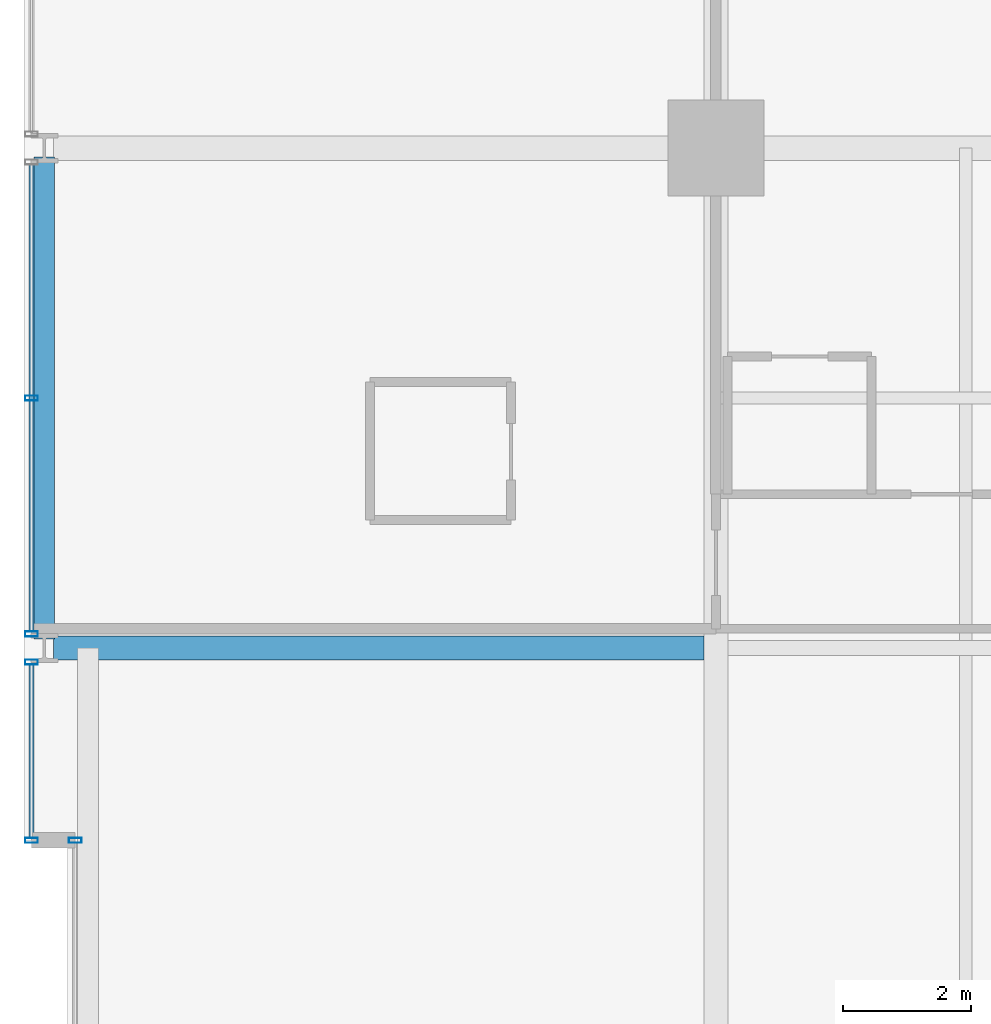
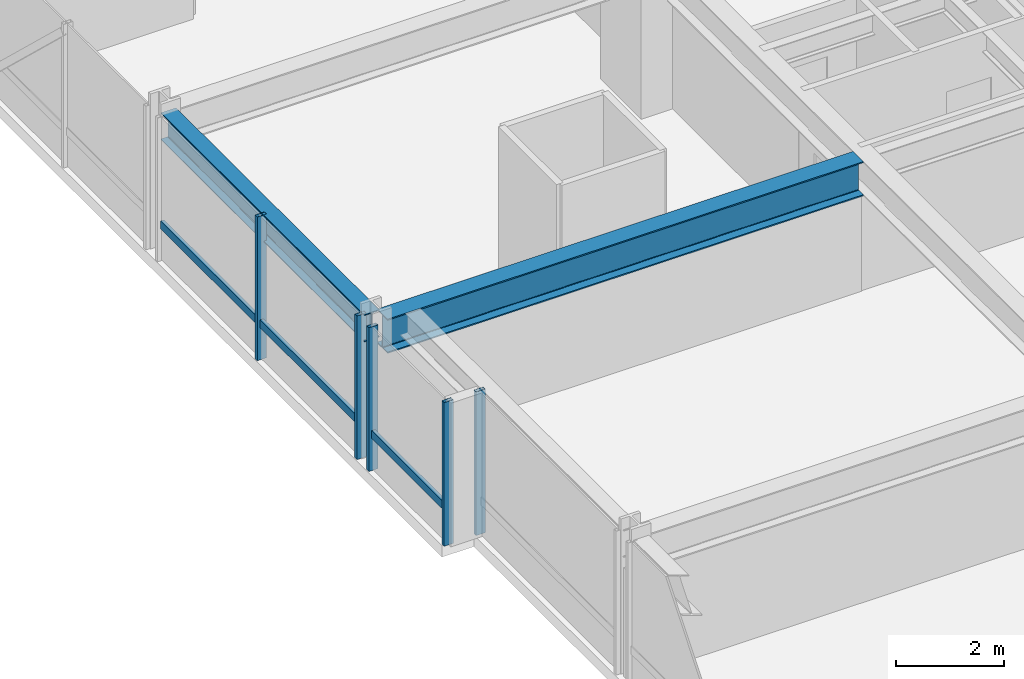
# One storey, part 16 of 34: 7 members, 2 beams, 3 elements without a shape of their own.
"""IFC4 building model written with IfcOpenShell, lengths in metres."""

from ifc_helpers import new_model, si_unit, direction, frame, origin, origin_2d, place, context, subcontext, project, spatial, hollow_rectangle, i_section, extrude, material, layer, layer_set, material_profile, profile_set, type_object, element, aggregate, save


model = new_model("IFC4")

# Units and contexts
model_context = context("Model", 3, precision=1e-05, world=origin(), true_north=direction((0.0, 1.0)))
body_context = subcontext(model_context, "Body", "Model", "MODEL_VIEW")
ifc_project = project(units=[si_unit("LENGTHUNIT", "METRE"), si_unit("AREAUNIT", "SQUARE_METRE"), si_unit("VOLUMEUNIT", "CUBIC_METRE"), si_unit("PLANEANGLEUNIT", "RADIAN"), si_unit("MASSUNIT", "GRAM", prefix="KILO")], contexts=[model_context])

# Site, building, storey
site_placement = place(None, origin())
site = spatial("IfcSite", under=ifc_project, at=site_placement, CompositionType="ELEMENT")
building_placement = place(site_placement, origin())
building = spatial("IfcBuilding", under=site, at=building_placement, Name="Drelvath Grand Hotel", CompositionType="ELEMENT")
storey_placement = place(building_placement, frame((0.0, 0.0, 91.800048828125)))
storey = spatial("IfcBuildingStorey", under=building, at=storey_placement, Name="L22", CompositionType="ELEMENT", Elevation=91.800048828125)

# Curtain wall, member
ifc_material_1 = material(Name="Champagne Bronze Anodised Aluminium Frame", Category="aluminium")
ifc_layer = layer(ifc_material_1, 0.199951171875)
ifc_layer_set = layer_set([ifc_layer], Name="Champagne Bronze Anodised Aluminium Frame")
curtain_wall_type = type_object("IfcCurtainWallType", Name="Stick Curtain Wall CW-03 Champagne Bronze Mid-Rise", PredefinedType="NOTDEFINED", material=ifc_layer_set)
curtain_wall_1_placement = place(storey_placement, origin())
curtain_wall_1 = element("IfcCurtainWall", 1, at=curtain_wall_1_placement, inside=storey, type_object=curtain_wall_type, Name="L22 CW-03 Curtain Wall CW03-L22-WN1", PredefinedType="NOTDEFINED")
ifc_material_profile_1 = material_profile(ifc_material_1, hollow_rectangle(XDim=0.074951171875, YDim=0.179931640625, WallThickness=0.0048828125, at=origin_2d()), Name="HSS180X75X5")
ifc_profile_set_1 = profile_set([ifc_material_profile_1], Name="Champagne Bronze Anodised Aluminium Frame")
member_type_1 = type_object("IfcMemberType", Name="Curtain Wall Horizontal Transom CW-03 HSS180X75X5", PredefinedType="USERDEFINED", material=ifc_profile_set_1)
member_1_placement = place(storey_placement, frame((-26.8798828125, 32.43994140625, 0.81005859375), z_axis=(0.0, 1.0, 0.0), x_axis=(-1.0, 0.0, 0.0)))
member_1 = element("IfcMember", 2, at=member_1_placement, type_object=member_type_1, Name="CW03-L22-WN1 Sill Transom", ObjectType="TRANSOM", PredefinedType="USERDEFINED", context=body_context, shape_type="SweptSolid", body=[
    extrude(hollow_rectangle(XDim=0.074951171875, YDim=0.179931640625, WallThickness=0.0048828125, at=origin_2d()), origin(), (0.0, 0.0, 1.0), 2.700439453125),
])

curtain_wall_2_placement = place(storey_placement, origin())
curtain_wall_2 = element("IfcCurtainWall", 3, at=curtain_wall_2_placement, inside=storey, type_object=curtain_wall_type, Name="L22 CW-03 Curtain Wall CW03-L22-WN2", PredefinedType="NOTDEFINED")
member_2_placement = place(storey_placement, frame((-26.8798828125, 35.65966796875, 0.81005859375), z_axis=(0.0, 1.0, 0.0), x_axis=(-1.0, 0.0, 0.0)))
member_2 = element("IfcMember", 4, at=member_2_placement, type_object=member_type_1, Name="CW03-L22-WN2 Sill Transom", ObjectType="TRANSOM", PredefinedType="USERDEFINED", context=body_context, shape_type="SweptSolid", body=[
    extrude(hollow_rectangle(XDim=0.074951171875, YDim=0.179931640625, WallThickness=0.0048828125, at=origin_2d()), origin(), (0.0, 0.0, 1.0), 7.28076171875),
])

curtain_wall_3_placement = place(storey_placement, origin())
curtain_wall_3 = element("IfcCurtainWall", 5, at=curtain_wall_3_placement, inside=storey, type_object=curtain_wall_type, Name="L22 CW-03 Curtain Wall CW03-L22-WM2", PredefinedType="NOTDEFINED")
ifc_material_profile_2 = material_profile(ifc_material_1, hollow_rectangle(XDim=0.080078125, YDim=0.199951171875, WallThickness=0.0048828125, at=origin_2d()), Name="HSS200X80X5")
ifc_profile_set_2 = profile_set([ifc_material_profile_2], Name="Champagne Bronze Anodised Aluminium Frame")
member_type_2 = type_object("IfcMemberType", Name="Curtain Wall Vertical Mullion CW-03 HSS200X80X5", PredefinedType="MULLION", material=ifc_profile_set_2)
member_3_placement = place(storey_placement, frame((-26.199951171875, 32.39990234375, 0.0), z_axis=(0.0, 0.0, 1.0), x_axis=(0.0, 1.0, 0.0)))
member_3 = element("IfcMember", 6, at=member_3_placement, type_object=member_type_2, Name="CW03-L22-WM2 Mullion 2", PredefinedType="MULLION", context=body_context, shape_type="SweptSolid", body=[
    extrude(hollow_rectangle(XDim=0.080078125, YDim=0.199951171875, WallThickness=0.0048828125, at=origin_2d()), origin(), (0.0, 0.0, 1.0), 3.239990234375),
])
aggregate(curtain_wall_3, [member_3])

# Member
member_4_placement = place(storey_placement, frame((-26.8798828125, 32.39990234375, 0.0), z_axis=(0.0, 0.0, 1.0), x_axis=(0.0, 1.0, 0.0)))
member_4 = element("IfcMember", 7, at=member_4_placement, type_object=member_type_2, Name="CW03-L22-WN1 Mullion 1", PredefinedType="MULLION", context=body_context, shape_type="SweptSolid", body=[
    extrude(hollow_rectangle(XDim=0.080078125, YDim=0.199951171875, WallThickness=0.0048828125, at=origin_2d()), origin(), (0.0, 0.0, 1.0), 3.239990234375),
])

member_5_placement = place(storey_placement, frame((-26.8798828125, 35.180419921875, 0.0), z_axis=(0.0, 0.0, 1.0), x_axis=(0.0, 1.0, 0.0)))
member_5 = element("IfcMember", 8, at=member_5_placement, type_object=member_type_2, Name="CW03-L22-WN1 Mullion 2", PredefinedType="MULLION", context=body_context, shape_type="SweptSolid", body=[
    extrude(hollow_rectangle(XDim=0.080078125, YDim=0.199951171875, WallThickness=0.0048828125, at=origin_2d()), origin(), (0.0, 0.0, 1.0), 3.239990234375),
])

aggregate(curtain_wall_1, [member_4, member_5, member_1])

member_6_placement = place(storey_placement, frame((-26.8798828125, 35.61962890625, 0.0), z_axis=(0.0, 0.0, 1.0), x_axis=(0.0, 1.0, 0.0)))
member_6 = element("IfcMember", 9, at=member_6_placement, type_object=member_type_2, Name="CW03-L22-WN2 Mullion 1", PredefinedType="MULLION", context=body_context, shape_type="SweptSolid", body=[
    extrude(hollow_rectangle(XDim=0.080078125, YDim=0.199951171875, WallThickness=0.0048828125, at=origin_2d()), origin(), (0.0, 0.0, 1.0), 3.239990234375),
])

member_7_placement = place(storey_placement, frame((-26.8798828125, 39.300048828125, 0.0), z_axis=(0.0, 0.0, 1.0), x_axis=(0.0, 1.0, 0.0)))
member_7 = element("IfcMember", 10, at=member_7_placement, type_object=member_type_2, Name="CW03-L22-WN2 Mullion 2", PredefinedType="MULLION", context=body_context, shape_type="SweptSolid", body=[
    extrude(hollow_rectangle(XDim=0.080078125, YDim=0.199951171875, WallThickness=0.0048828125, at=origin_2d()), origin(), (0.0, 0.0, 1.0), 3.239990234375),
])

aggregate(curtain_wall_2, [member_6, member_7, member_2])

# Beams
ifc_material_2 = material(Name="Steel ASTM A992 Gr 50", Category="steel")
ifc_material_profile_3 = material_profile(ifc_material_2, i_section(OverallWidth=0.323974609375, OverallDepth=0.611083984375, WebThickness=0.0126953125, FlangeThickness=0.01904296875, FilletRadius=0.02197265625, at=origin_2d()), Name="W24X104")
ifc_profile_set_3 = profile_set([ifc_material_profile_3], Name="Steel ASTM A992 Gr 50")
beam_type_1 = type_object("IfcBeamType", Name="Perimeter Spandrel Beam W24X104", PredefinedType="SPANDREL", material=ifc_profile_set_3)
beam_1_placement = place(storey_placement, frame((-26.679931640625, 35.5400390625, 2.9345703125), z_axis=(0.0, 1.0, 0.0), x_axis=(-1.0, 0.0, 0.0)))
element("IfcBeam", 11, at=beam_1_placement, inside=storey, type_object=beam_type_1, Name="L22 Spandrel West N", PredefinedType="SPANDREL", context=body_context, shape_type="SweptSolid", body=[
    extrude(i_section(OverallWidth=0.323974609375, OverallDepth=0.611083984375, WebThickness=0.0126953125, FlangeThickness=0.01904296875, FilletRadius=0.02197265625, at=origin_2d()), origin(), (0.0, 0.0, 1.0), 7.52001953125),
])
ifc_material_profile_4 = material_profile(ifc_material_2, i_section(OverallWidth=0.380615234375, OverallDepth=0.773193359375, WebThickness=0.0166015625, FlangeThickness=0.027099609375, FilletRadius=0.02490234375, at=origin_2d()), Name="W30X173")
ifc_profile_set_4 = profile_set([ifc_material_profile_4], Name="Steel ASTM A992 Gr 50")
beam_type_2 = type_object("IfcBeamType", Name="Primary Floor Girder W30X173", PredefinedType="BEAM", material=ifc_profile_set_4)
beam_2_placement = place(storey_placement, frame((-26.5400390625, 35.39990234375, 2.853271484375), z_axis=(1.0, 0.0, 0.0), x_axis=(0.0, 1.0, 0.0)))
element("IfcBeam", 12, at=beam_2_placement, inside=storey, type_object=beam_type_2, Name="L22 West Wing Girder F", PredefinedType="BEAM", context=body_context, shape_type="SweptSolid", body=[
    extrude(i_section(OverallWidth=0.380615234375, OverallDepth=0.773193359375, WebThickness=0.0166015625, FlangeThickness=0.027099609375, FilletRadius=0.02490234375, at=origin_2d()), origin(), (0.0, 0.0, 1.0), 10.149658203125),
])

save(model, "model.ifc")
